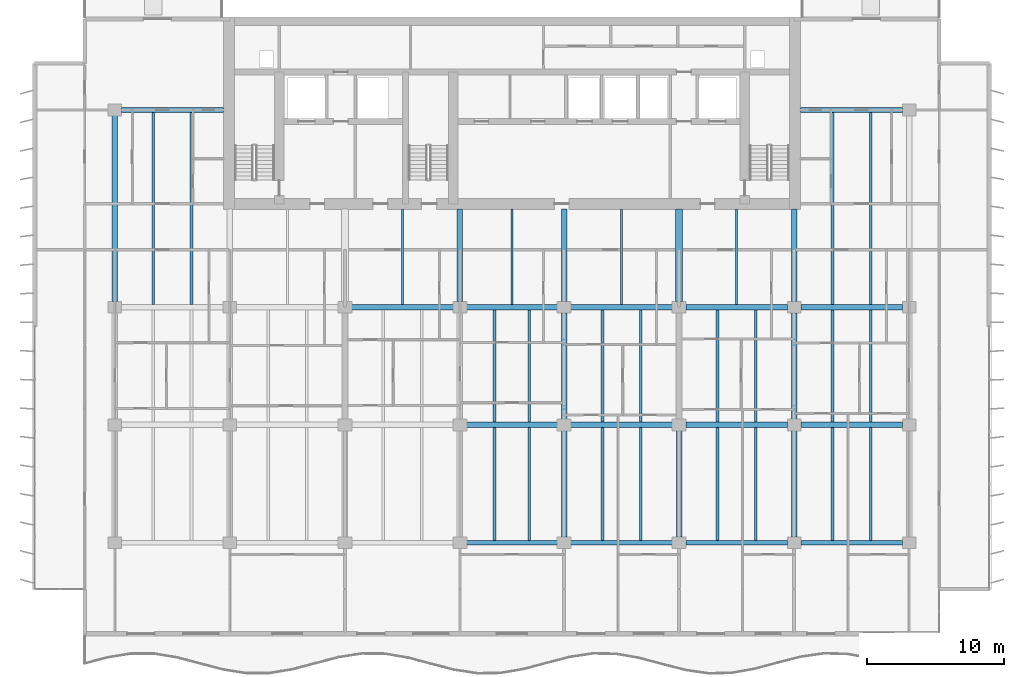
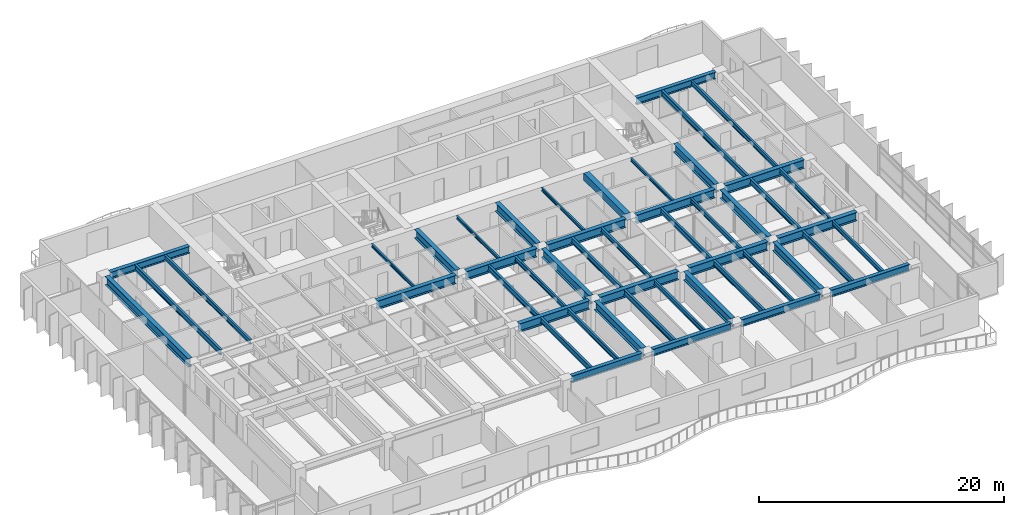
# One storey, part 3 of 20: 49 beams.
"""IFC4 building model written with IfcOpenShell, lengths in metres."""

from ifc_helpers import new_model, si_unit, direction, frame, origin, origin_2d, place, context, subcontext, project, spatial, rectangle, i_section, extrude, material, material_profile, profile_set, type_object, element, save


model = new_model("IFC4")

# Units and contexts
model_context = context("Model", 3, precision=1e-05, world=origin(), true_north=direction((0.0, 1.0)))
body_context = subcontext(model_context, "Body", "Model", "MODEL_VIEW")
ifc_project = project(units=[si_unit("LENGTHUNIT", "METRE"), si_unit("AREAUNIT", "SQUARE_METRE"), si_unit("VOLUMEUNIT", "CUBIC_METRE"), si_unit("PLANEANGLEUNIT", "RADIAN"), si_unit("MASSUNIT", "GRAM", prefix="KILO")], contexts=[model_context])

# Site, building, storey
site_placement = place(None, origin())
site = spatial("IfcSite", under=ifc_project, at=site_placement, CompositionType="ELEMENT")
building_placement = place(site_placement, origin())
building = spatial("IfcBuilding", under=site, at=building_placement, Name="Caelmar Bay Residences", CompositionType="ELEMENT")
storey_placement = place(building_placement, frame((0.0, 0.0, 119.10009765625)))
storey = spatial("IfcBuildingStorey", under=building, at=storey_placement, Name="L32", CompositionType="ELEMENT", Elevation=119.10009765625)

# Beams
ifc_material_1 = material(Name="Steel ASTM A992 Grade 50", Category="steel")
ifc_material_profile_1 = material_profile(ifc_material_1, i_section(OverallWidth=0.40087890625, OverallDepth=0.861083984375, WebThickness=0.019775390625, FlangeThickness=0.032470703125, FilletRadius=0.017822265625, at=origin_2d()), Name="W33X221")
ifc_profile_set_1 = profile_set([ifc_material_profile_1], Name="Steel ASTM A992 Grade 50")
beam_type_1 = type_object("IfcBeamType", Name="BM-GRD-W33X221", PredefinedType="BEAM", material=ifc_profile_set_1)
beam_1_placement = place(storey_placement, frame((35.590087890625, 20.800048828125, 2.619384765625), z_axis=(1.0, 0.0, 0.0), x_axis=(0.0, 1.0, 0.0)))
element("IfcBeam", 1, at=beam_1_placement, inside=storey, type_object=beam_type_1, Name="L32 East-West Girder Y=20.80 (35.1-42.7)", PredefinedType="BEAM", context=body_context, shape_type="SweptSolid", body=[
    extrude(i_section(OverallWidth=0.40087890625, OverallDepth=0.861083984375, WebThickness=0.019775390625, FlangeThickness=0.032470703125, FilletRadius=0.017822265625, at=origin_2d()), origin(), (0.0, 0.0, 1.0), 6.619873046875),
])
beam_2_placement = place(storey_placement, frame((43.18994140625, 20.800048828125, 2.619384765625), z_axis=(1.0, 0.0, 0.0), x_axis=(0.0, 1.0, 0.0)))
element("IfcBeam", 2, at=beam_2_placement, inside=storey, type_object=beam_type_1, Name="L32 East-West Girder Y=20.80 (42.7-51.1)", PredefinedType="BEAM", context=body_context, shape_type="SweptSolid", body=[
    extrude(i_section(OverallWidth=0.40087890625, OverallDepth=0.861083984375, WebThickness=0.019775390625, FlangeThickness=0.032470703125, FilletRadius=0.017822265625, at=origin_2d()), origin(), (0.0, 0.0, 1.0), 7.420166015625),
])
for number, where, z_axis, x_axis, name in (
    (3, (51.590087890625, 20.800048828125, 2.619384765625), (1.0, 0.0, 0.0), (0.0, 1.0, 0.0), "L32 East-West Girder Y=20.80 (51.1-59.5)"),
    (4, (59.989990234375, 20.800048828125, 2.619384765625), (1.0, 0.0, 0.0), (0.0, 1.0, 0.0), "L32 East-West Girder Y=20.80 (59.5-67.9)"),
):
    element("IfcBeam", number, at=place(storey_placement, frame(where, z_axis=z_axis, x_axis=x_axis)), inside=storey, type_object=beam_type_1, Name=name, PredefinedType="BEAM", context=body_context, shape_type="SweptSolid", body=[
        extrude(i_section(OverallWidth=0.40087890625, OverallDepth=0.861083984375, WebThickness=0.019775390625, FlangeThickness=0.032470703125, FilletRadius=0.017822265625, at=origin_2d()), origin(), (0.0, 0.0, 1.0), 7.419921875),
    ])
beam_3_placement = place(storey_placement, frame((27.18994140625, 29.39990234375, 2.619384765625), z_axis=(1.0, 0.0, 0.0), x_axis=(0.0, 1.0, 0.0)))
element("IfcBeam", 5, at=beam_3_placement, inside=storey, type_object=beam_type_1, Name="L32 East-West Girder Y=29.40 (26.7-35.1)", PredefinedType="BEAM", context=body_context, shape_type="SweptSolid", body=[
    extrude(i_section(OverallWidth=0.40087890625, OverallDepth=0.861083984375, WebThickness=0.019775390625, FlangeThickness=0.032470703125, FilletRadius=0.017822265625, at=origin_2d()), origin(), (0.0, 0.0, 1.0), 7.420166015625),
])
beam_4_placement = place(storey_placement, frame((35.590087890625, 29.39990234375, 2.619384765625), z_axis=(1.0, 0.0, 0.0), x_axis=(0.0, 1.0, 0.0)))
element("IfcBeam", 6, at=beam_4_placement, inside=storey, type_object=beam_type_1, Name="L32 East-West Girder Y=29.40 (35.1-42.7)", PredefinedType="BEAM", context=body_context, shape_type="SweptSolid", body=[
    extrude(i_section(OverallWidth=0.40087890625, OverallDepth=0.861083984375, WebThickness=0.019775390625, FlangeThickness=0.032470703125, FilletRadius=0.017822265625, at=origin_2d()), origin(), (0.0, 0.0, 1.0), 6.619873046875),
])
beam_5_placement = place(storey_placement, frame((43.18994140625, 29.39990234375, 2.619384765625), z_axis=(1.0, 0.0, 0.0), x_axis=(0.0, 1.0, 0.0)))
element("IfcBeam", 7, at=beam_5_placement, inside=storey, type_object=beam_type_1, Name="L32 East-West Girder Y=29.40 (42.7-51.1)", PredefinedType="BEAM", context=body_context, shape_type="SweptSolid", body=[
    extrude(i_section(OverallWidth=0.40087890625, OverallDepth=0.861083984375, WebThickness=0.019775390625, FlangeThickness=0.032470703125, FilletRadius=0.017822265625, at=origin_2d()), origin(), (0.0, 0.0, 1.0), 7.420166015625),
])
for number, where, z_axis, x_axis, name in (
    (8, (51.590087890625, 29.39990234375, 2.619384765625), (1.0, 0.0, 0.0), (0.0, 1.0, 0.0), "L32 East-West Girder Y=29.40 (51.1-59.5)"),
    (9, (59.989990234375, 29.39990234375, 2.619384765625), (1.0, 0.0, 0.0), (0.0, 1.0, 0.0), "L32 East-West Girder Y=29.40 (59.5-67.9)"),
):
    element("IfcBeam", number, at=place(storey_placement, frame(where, z_axis=z_axis, x_axis=x_axis)), inside=storey, type_object=beam_type_1, Name=name, PredefinedType="BEAM", context=body_context, shape_type="SweptSolid", body=[
        extrude(i_section(OverallWidth=0.40087890625, OverallDepth=0.861083984375, WebThickness=0.019775390625, FlangeThickness=0.032470703125, FilletRadius=0.017822265625, at=origin_2d()), origin(), (0.0, 0.0, 1.0), 7.419921875),
    ])
beam_6_placement = place(storey_placement, frame((9.89990234375, 29.81494140625, 2.619384765625), z_axis=(0.0, 1.0, 0.0), x_axis=(-1.0, 0.0, 0.0)))
element("IfcBeam", 10, at=beam_6_placement, inside=storey, type_object=beam_type_1, Name="L32 North-South Girder X=9.90 (29.4-43.8)", PredefinedType="BEAM", context=body_context, shape_type="SweptSolid", body=[
    extrude(i_section(OverallWidth=0.40087890625, OverallDepth=0.861083984375, WebThickness=0.019775390625, FlangeThickness=0.032470703125, FilletRadius=0.017822265625, at=origin_2d()), origin(), (0.0, 0.0, 1.0), 13.570068359375),
])
for number, where, z_axis, x_axis, name in (
    (11, (35.10009765625, 29.81494140625, 2.619384765625), (0.0, 1.0, 0.0), (-1.0, 0.0, 0.0), "L32 Core Tie Girder X=35.10"),
    (12, (42.699951171875, 29.81494140625, 2.619384765625), (0.0, 1.0, 0.0), (-1.0, 0.0, 0.0), "L32 Core Tie Girder X=42.70"),
):
    element("IfcBeam", number, at=place(storey_placement, frame(where, z_axis=z_axis, x_axis=x_axis)), inside=storey, type_object=beam_type_1, Name=name, PredefinedType="BEAM", context=body_context, shape_type="SweptSolid", body=[
        extrude(i_section(OverallWidth=0.40087890625, OverallDepth=0.861083984375, WebThickness=0.019775390625, FlangeThickness=0.032470703125, FilletRadius=0.017822265625, at=origin_2d()), origin(), (0.0, 0.0, 1.0), 6.735107421875),
    ])
for number, where, z_axis, x_axis, name in (
    (13, (42.699951171875, 12.614990234375, 2.619384765625), (0.0, 1.0, 0.0), (-1.0, 0.0, 0.0), "L32 North-South Girder X=42.70 (12.2-20.8)"),
    (14, (42.699951171875, 21.215087890625, 2.619384765625), (0.0, 1.0, 0.0), (-1.0, 0.0, 0.0), "L32 North-South Girder X=42.70 (20.8-29.4)"),
    (15, (51.10009765625, 12.614990234375, 2.619384765625), (0.0, 1.0, 0.0), (-1.0, 0.0, 0.0), "L32 North-South Girder X=51.10 (12.2-20.8)"),
):
    element("IfcBeam", number, at=place(storey_placement, frame(where, z_axis=z_axis, x_axis=x_axis)), inside=storey, type_object=beam_type_1, Name=name, PredefinedType="BEAM", context=body_context, shape_type="SweptSolid", body=[
        extrude(i_section(OverallWidth=0.40087890625, OverallDepth=0.861083984375, WebThickness=0.019775390625, FlangeThickness=0.032470703125, FilletRadius=0.017822265625, at=origin_2d()), origin(), (0.0, 0.0, 1.0), 7.77001953125),
    ])
beam_7_placement = place(storey_placement, frame((59.5, 29.81494140625, 2.619384765625), z_axis=(0.0, 1.0, 0.0), x_axis=(-1.0, 0.0, 0.0)))
element("IfcBeam", 16, at=beam_7_placement, inside=storey, type_object=beam_type_1, Name="L32 Core Tie Girder X=59.50", PredefinedType="BEAM", context=body_context, shape_type="SweptSolid", body=[
    extrude(i_section(OverallWidth=0.40087890625, OverallDepth=0.861083984375, WebThickness=0.019775390625, FlangeThickness=0.032470703125, FilletRadius=0.017822265625, at=origin_2d()), origin(), (0.0, 0.0, 1.0), 6.735107421875),
])
for number, where, z_axis, x_axis, name in (
    (17, (59.5, 12.614990234375, 2.619384765625), (0.0, 1.0, 0.0), (-1.0, 0.0, 0.0), "L32 North-South Girder X=59.50 (12.2-20.8)"),
    (18, (59.5, 21.215087890625, 2.619384765625), (0.0, 1.0, 0.0), (-1.0, 0.0, 0.0), "L32 North-South Girder X=59.50 (20.8-29.4)"),
):
    element("IfcBeam", number, at=place(storey_placement, frame(where, z_axis=z_axis, x_axis=x_axis)), inside=storey, type_object=beam_type_1, Name=name, PredefinedType="BEAM", context=body_context, shape_type="SweptSolid", body=[
        extrude(i_section(OverallWidth=0.40087890625, OverallDepth=0.861083984375, WebThickness=0.019775390625, FlangeThickness=0.032470703125, FilletRadius=0.017822265625, at=origin_2d()), origin(), (0.0, 0.0, 1.0), 7.77001953125),
    ])
ifc_material_profile_2 = material_profile(ifc_material_1, i_section(OverallWidth=0.1650390625, OverallDepth=0.31005859375, WebThickness=0.005859375, FlangeThickness=0.009765625, FilletRadius=0.007568359375, at=origin_2d()), Name="W12X26")
ifc_profile_set_2 = profile_set([ifc_material_profile_2], Name="Steel ASTM A992 Grade 50")
beam_type_2 = type_object("IfcBeamType", Name="BM-JST-W12X26", PredefinedType="JOIST", material=ifc_profile_set_2)
for number, where, z_axis, x_axis, name in (
    (19, (30.89990234375, 29.6005859375, 2.89501953125), (0.0, 1.0, 0.0), (-1.0, 0.0, 0.0), "L32 Core-Band Composite Joist 30"),
    (20, (38.89990234375, 29.6005859375, 2.89501953125), (0.0, 1.0, 0.0), (-1.0, 0.0, 0.0), "L32 Core-Band Composite Joist 31"),
    (21, (46.89990234375, 29.6005859375, 2.89501953125), (0.0, 1.0, 0.0), (-1.0, 0.0, 0.0), "L32 Core-Band Composite Joist 32"),
    (22, (55.300048828125, 29.6005859375, 2.89501953125), (0.0, 1.0, 0.0), (-1.0, 0.0, 0.0), "L32 Core-Band Composite Joist 33"),
):
    element("IfcBeam", number, at=place(storey_placement, frame(where, z_axis=z_axis, x_axis=x_axis)), inside=storey, type_object=beam_type_2, Name=name, PredefinedType="JOIST", context=body_context, shape_type="SweptSolid", body=[
        extrude(i_section(OverallWidth=0.1650390625, OverallDepth=0.31005859375, WebThickness=0.005859375, FlangeThickness=0.009765625, FilletRadius=0.007568359375, at=origin_2d()), origin(), (0.0, 0.0, 1.0), 6.949462890625),
    ])
ifc_material_profile_3 = material_profile(ifc_material_1, i_section(OverallWidth=0.19091796875, OverallDepth=0.45703125, WebThickness=0.009033203125, FlangeThickness=0.014404296875, FilletRadius=0.01025390625, at=origin_2d()), Name="W18X50")
ifc_profile_set_3 = profile_set([ifc_material_profile_3], Name="Steel ASTM A992 Grade 50")
beam_type_3 = type_object("IfcBeamType", Name="BM-JST-W18X50", PredefinedType="JOIST", material=ifc_profile_set_3)
for number, where, z_axis, x_axis, name in (
    (23, (40.166748046875, 12.3779296875, 2.8212890625), (0.0, 1.0, 0.0), (-1.0, 0.0, 0.0), "L32 Composite Floor Joist 8"),
    (24, (48.300048828125, 12.3779296875, 2.8212890625), (0.0, 1.0, 0.0), (-1.0, 0.0, 0.0), "L32 Composite Floor Joist 10"),
    (25, (56.699951171875, 12.3779296875, 2.8212890625), (0.0, 1.0, 0.0), (-1.0, 0.0, 0.0), "L32 Composite Floor Joist 12"),
    (26, (65.10009765625, 12.3779296875, 2.8212890625), (0.0, 1.0, 0.0), (-1.0, 0.0, 0.0), "L32 Composite Floor Joist 14"),
):
    element("IfcBeam", number, at=place(storey_placement, frame(where, z_axis=z_axis, x_axis=x_axis)), inside=storey, type_object=beam_type_3, Name=name, PredefinedType="JOIST", context=body_context, shape_type="SweptSolid", body=[
        extrude(i_section(OverallWidth=0.19091796875, OverallDepth=0.45703125, WebThickness=0.009033203125, FlangeThickness=0.014404296875, FilletRadius=0.01025390625, at=origin_2d()), origin(), (0.0, 0.0, 1.0), 8.2216796875),
    ])
for number, where, z_axis, x_axis, name in (
    (27, (40.166748046875, 21.00048828125, 2.8212890625), (0.0, 1.0, 0.0), (-1.0, 0.0, 0.0), "L32 Composite Floor Joist 22"),
    (28, (48.300048828125, 21.00048828125, 2.8212890625), (0.0, 1.0, 0.0), (-1.0, 0.0, 0.0), "L32 Composite Floor Joist 24"),
    (29, (56.699951171875, 21.00048828125, 2.8212890625), (0.0, 1.0, 0.0), (-1.0, 0.0, 0.0), "L32 Composite Floor Joist 26"),
    (30, (65.10009765625, 21.00048828125, 2.8212890625), (0.0, 1.0, 0.0), (-1.0, 0.0, 0.0), "L32 Composite Floor Joist 28"),
):
    element("IfcBeam", number, at=place(storey_placement, frame(where, z_axis=z_axis, x_axis=x_axis)), inside=storey, type_object=beam_type_3, Name=name, PredefinedType="JOIST", context=body_context, shape_type="SweptSolid", body=[
        extrude(i_section(OverallWidth=0.19091796875, OverallDepth=0.45703125, WebThickness=0.009033203125, FlangeThickness=0.014404296875, FilletRadius=0.01025390625, at=origin_2d()), origin(), (0.0, 0.0, 1.0), 8.198974609375),
    ])
for number, where, z_axis, x_axis, name in (
    (31, (15.5, 29.6005859375, 2.8212890625), (0.0, 1.0, 0.0), (-1.0, 0.0, 0.0), "L32 Composite Floor Joist 35"),
    (32, (65.10009765625, 29.6005859375, 2.8212890625), (0.0, 1.0, 0.0), (-1.0, 0.0, 0.0), "L32 Composite Floor Joist 37"),
):
    element("IfcBeam", number, at=place(storey_placement, frame(where, z_axis=z_axis, x_axis=x_axis)), inside=storey, type_object=beam_type_3, Name=name, PredefinedType="JOIST", context=body_context, shape_type="SweptSolid", body=[
        extrude(i_section(OverallWidth=0.19091796875, OverallDepth=0.45703125, WebThickness=0.009033203125, FlangeThickness=0.014404296875, FilletRadius=0.01025390625, at=origin_2d()), origin(), (0.0, 0.0, 1.0), 14.021484375),
    ])
ifc_material_profile_4 = material_profile(ifc_material_1, i_section(OverallWidth=0.2099609375, OverallDepth=0.535888671875, WebThickness=0.010986328125, FlangeThickness=0.017333984375, FilletRadius=0.0126953125, at=origin_2d()), Name="W21X68")
ifc_profile_set_4 = profile_set([ifc_material_profile_4], Name="Steel ASTM A992 Grade 50")
beam_type_4 = type_object("IfcBeamType", Name="BM-JST-W21X68", PredefinedType="JOIST", material=ifc_profile_set_4)
for number, where, z_axis, x_axis, name in (
    (33, (37.63330078125, 12.3779296875, 2.781982421875), (0.0, 1.0, 0.0), (-1.0, 0.0, 0.0), "L32 Composite Floor Joist 7"),
    (34, (45.5, 12.3779296875, 2.781982421875), (0.0, 1.0, 0.0), (-1.0, 0.0, 0.0), "L32 Composite Floor Joist 9"),
    (35, (53.89990234375, 12.3779296875, 2.781982421875), (0.0, 1.0, 0.0), (-1.0, 0.0, 0.0), "L32 Composite Floor Joist 11"),
    (36, (62.300048828125, 12.3779296875, 2.781982421875), (0.0, 1.0, 0.0), (-1.0, 0.0, 0.0), "L32 Composite Floor Joist 13"),
):
    element("IfcBeam", number, at=place(storey_placement, frame(where, z_axis=z_axis, x_axis=x_axis)), inside=storey, type_object=beam_type_4, Name=name, PredefinedType="JOIST", context=body_context, shape_type="SweptSolid", body=[
        extrude(i_section(OverallWidth=0.2099609375, OverallDepth=0.535888671875, WebThickness=0.010986328125, FlangeThickness=0.017333984375, FilletRadius=0.0126953125, at=origin_2d()), origin(), (0.0, 0.0, 1.0), 8.2216796875),
    ])
for number, where, z_axis, x_axis, name in (
    (37, (37.63330078125, 21.00048828125, 2.781982421875), (0.0, 1.0, 0.0), (-1.0, 0.0, 0.0), "L32 Composite Floor Joist 21"),
    (38, (45.5, 21.00048828125, 2.781982421875), (0.0, 1.0, 0.0), (-1.0, 0.0, 0.0), "L32 Composite Floor Joist 23"),
    (39, (53.89990234375, 21.00048828125, 2.781982421875), (0.0, 1.0, 0.0), (-1.0, 0.0, 0.0), "L32 Composite Floor Joist 25"),
    (40, (62.300048828125, 21.00048828125, 2.781982421875), (0.0, 1.0, 0.0), (-1.0, 0.0, 0.0), "L32 Composite Floor Joist 27"),
):
    element("IfcBeam", number, at=place(storey_placement, frame(where, z_axis=z_axis, x_axis=x_axis)), inside=storey, type_object=beam_type_4, Name=name, PredefinedType="JOIST", context=body_context, shape_type="SweptSolid", body=[
        extrude(i_section(OverallWidth=0.2099609375, OverallDepth=0.535888671875, WebThickness=0.010986328125, FlangeThickness=0.017333984375, FilletRadius=0.0126953125, at=origin_2d()), origin(), (0.0, 0.0, 1.0), 8.198974609375),
    ])
for number, where, z_axis, x_axis, name in (
    (41, (12.699951171875, 29.6005859375, 2.781982421875), (0.0, 1.0, 0.0), (-1.0, 0.0, 0.0), "L32 Composite Floor Joist 34"),
    (42, (62.300048828125, 29.6005859375, 2.781982421875), (0.0, 1.0, 0.0), (-1.0, 0.0, 0.0), "L32 Composite Floor Joist 36"),
):
    element("IfcBeam", number, at=place(storey_placement, frame(where, z_axis=z_axis, x_axis=x_axis)), inside=storey, type_object=beam_type_4, Name=name, PredefinedType="JOIST", context=body_context, shape_type="SweptSolid", body=[
        extrude(i_section(OverallWidth=0.2099609375, OverallDepth=0.535888671875, WebThickness=0.010986328125, FlangeThickness=0.017333984375, FilletRadius=0.0126953125, at=origin_2d()), origin(), (0.0, 0.0, 1.0), 14.021484375),
    ])
ifc_material_2 = material(Name="Concrete f'c 55 MPa (8,000 psi)", Category="concrete")
ifc_material_profile_5 = material_profile(ifc_material_2, rectangle(XDim=0.5, YDim=0.699951171875, at=origin_2d()), Name="RC-BM-500X700")
ifc_profile_set_5 = profile_set([ifc_material_profile_5], Name="Concrete f'c 55 MPa (8,000 psi)")
beam_type_5 = type_object("IfcBeamType", Name="BM-RC-500X700", PredefinedType="LINTEL", material=ifc_profile_set_5)
beam_8_placement = place(storey_placement, frame((51.10009765625, 29.81494140625, 2.699951171875), z_axis=(0.0, 1.0, 0.0), x_axis=(-1.0, 0.0, 0.0)))
element("IfcBeam", 43, at=beam_8_placement, inside=storey, type_object=beam_type_5, Name="L32 Shear-Wall Corridor Coupling Lintel E8", PredefinedType="LINTEL", context=body_context, shape_type="SweptSolid", body=[
    extrude(rectangle(XDim=0.5, YDim=0.699951171875, at=origin_2d()), origin(), (0.0, 0.0, 1.0), 6.735107421875),
])
ifc_material_profile_6 = material_profile(ifc_material_1, i_section(OverallWidth=0.35595703125, OverallDepth=0.696044921875, WebThickness=0.015380859375, FlangeThickness=0.02490234375, FilletRadius=0.01513671875, at=origin_2d()), Name="W27X146")
ifc_profile_set_6 = profile_set([ifc_material_profile_6], Name="Steel ASTM A992 Grade 50")
beam_type_6 = type_object("IfcBeamType", Name="BM-SPN-W27X146", PredefinedType="SPANDREL", material=ifc_profile_set_6)
beam_9_placement = place(storey_placement, frame((35.590087890625, 12.199951171875, 2.701904296875), z_axis=(1.0, 0.0, 0.0), x_axis=(0.0, 1.0, 0.0)))
element("IfcBeam", 44, at=beam_9_placement, inside=storey, type_object=beam_type_6, Name="L32 East-West Girder Y=12.20 (35.1-42.7)", PredefinedType="SPANDREL", context=body_context, shape_type="SweptSolid", body=[
    extrude(i_section(OverallWidth=0.35595703125, OverallDepth=0.696044921875, WebThickness=0.015380859375, FlangeThickness=0.02490234375, FilletRadius=0.01513671875, at=origin_2d()), origin(), (0.0, 0.0, 1.0), 6.619873046875),
])
beam_10_placement = place(storey_placement, frame((43.18994140625, 12.199951171875, 2.701904296875), z_axis=(1.0, 0.0, 0.0), x_axis=(0.0, 1.0, 0.0)))
element("IfcBeam", 45, at=beam_10_placement, inside=storey, type_object=beam_type_6, Name="L32 East-West Girder Y=12.20 (42.7-51.1)", PredefinedType="SPANDREL", context=body_context, shape_type="SweptSolid", body=[
    extrude(i_section(OverallWidth=0.35595703125, OverallDepth=0.696044921875, WebThickness=0.015380859375, FlangeThickness=0.02490234375, FilletRadius=0.01513671875, at=origin_2d()), origin(), (0.0, 0.0, 1.0), 7.420166015625),
])
for number, where, z_axis, x_axis, name in (
    (46, (51.590087890625, 12.199951171875, 2.701904296875), (1.0, 0.0, 0.0), (0.0, 1.0, 0.0), "L32 East-West Girder Y=12.20 (51.1-59.5)"),
    (47, (59.989990234375, 12.199951171875, 2.701904296875), (1.0, 0.0, 0.0), (0.0, 1.0, 0.0), "L32 East-West Girder Y=12.20 (59.5-67.9)"),
):
    element("IfcBeam", number, at=place(storey_placement, frame(where, z_axis=z_axis, x_axis=x_axis)), inside=storey, type_object=beam_type_6, Name=name, PredefinedType="SPANDREL", context=body_context, shape_type="SweptSolid", body=[
        extrude(i_section(OverallWidth=0.35595703125, OverallDepth=0.696044921875, WebThickness=0.015380859375, FlangeThickness=0.02490234375, FilletRadius=0.01513671875, at=origin_2d()), origin(), (0.0, 0.0, 1.0), 7.419921875),
    ])
beam_11_placement = place(storey_placement, frame((10.389892578125, 43.800048828125, 2.701904296875), z_axis=(1.0, 0.0, 0.0), x_axis=(0.0, 1.0, 0.0)))
element("IfcBeam", 48, at=beam_11_placement, inside=storey, type_object=beam_type_6, Name="L32 North-West Wing Core Tie Girder", PredefinedType="SPANDREL", context=body_context, shape_type="SweptSolid", body=[
    extrude(i_section(OverallWidth=0.35595703125, OverallDepth=0.696044921875, WebThickness=0.015380859375, FlangeThickness=0.02490234375, FilletRadius=0.01513671875, at=origin_2d()), origin(), (0.0, 0.0, 1.0), 7.460205078125),
])
beam_12_placement = place(storey_placement, frame((59.949951171875, 43.800048828125, 2.701904296875), z_axis=(1.0, 0.0, 0.0), x_axis=(0.0, 1.0, 0.0)))
element("IfcBeam", 49, at=beam_12_placement, inside=storey, type_object=beam_type_6, Name="L32 North-East Wing Core Tie Girder", PredefinedType="SPANDREL", context=body_context, shape_type="SweptSolid", body=[
    extrude(i_section(OverallWidth=0.35595703125, OverallDepth=0.696044921875, WebThickness=0.015380859375, FlangeThickness=0.02490234375, FilletRadius=0.01513671875, at=origin_2d()), origin(), (0.0, 0.0, 1.0), 7.4599609375),
])

save(model, "model.ifc")
